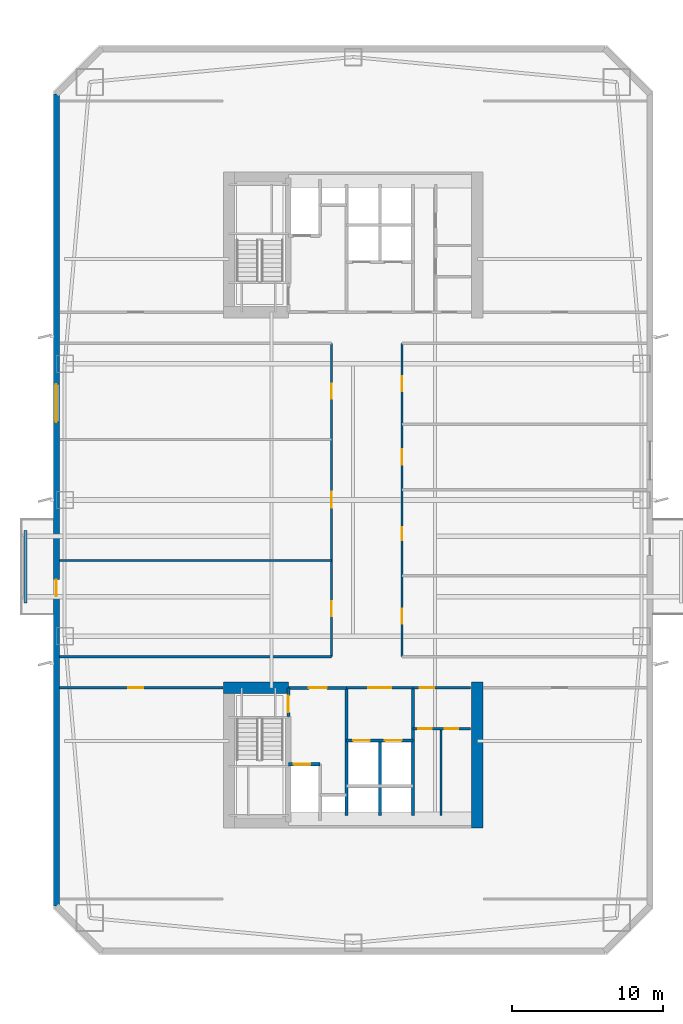
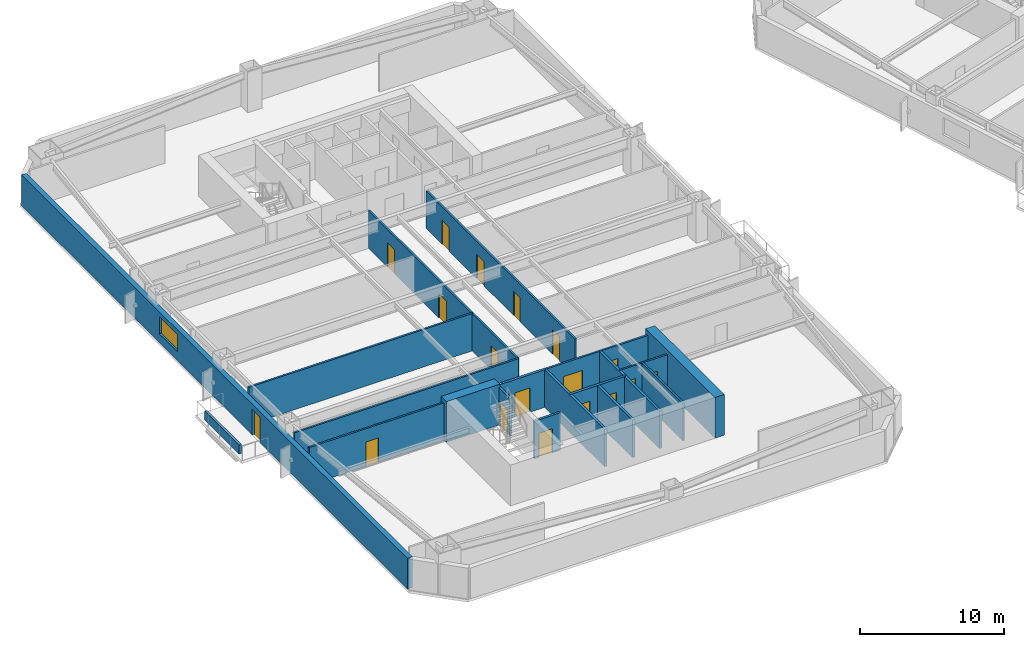
# One storey, part 4 of 18: 20 walls, 18 doors, 1 window, 19 openings.
"""IFC4 building model written with IfcOpenShell, lengths in metres."""

from ifc_helpers import new_model, si_unit, direction, frame, frame_2d, origin, place, context, subcontext, project, spatial, rectangle, extrude, material, layer, layer_set, type_object, element, fill, save


model = new_model("IFC4")

# Units and contexts
model_context = context("Model", 3, precision=1e-05, world=origin(), true_north=direction((0.0, 1.0)))
body_context = subcontext(model_context, "Body", "Model", "MODEL_VIEW")
ifc_project = project(units=[si_unit("LENGTHUNIT", "METRE"), si_unit("AREAUNIT", "SQUARE_METRE"), si_unit("VOLUMEUNIT", "CUBIC_METRE"), si_unit("PLANEANGLEUNIT", "RADIAN"), si_unit("MASSUNIT", "GRAM", prefix="KILO")], contexts=[model_context])

# Site, building, storey
site_placement = place(None, origin())
site = spatial("IfcSite", under=ifc_project, at=site_placement, CompositionType="ELEMENT")
building_placement = place(site_placement, origin())
building = spatial("IfcBuilding", under=site, at=building_placement, Name="Qiaolan Cultural Towers", CompositionType="ELEMENT")
storey_placement = place(building_placement, frame((0.0, 0.0, 67.85009765625)))
storey = spatial("IfcBuildingStorey", under=building, at=storey_placement, Name="L16", CompositionType="ELEMENT", Elevation=67.85009765625)

# Walls
ifc_material_1 = material(Name="Concrete C60", Category="concrete")
ifc_layer_1 = layer(ifc_material_1, 0.75)
ifc_layer_set_1 = layer_set([ifc_layer_1], Name="Concrete C60")
wall_type_1 = type_object("IfcWallType", Name="WL-CORE-750", PredefinedType="SHEAR", material=ifc_layer_set_1)
wall_1_placement = place(storey_placement, frame((38.199951171875, 21.97509765625, 0.0), z_axis=(0.0, 0.0, 1.0), x_axis=(0.0, -1.0, 0.0)))
element("IfcWall", 1, at=wall_1_placement, inside=storey, type_object=wall_type_1, Name="L16 T1-CS East Core Shear Wall", PredefinedType="SHEAR", context=body_context, shape_type="SweptSolid", body=[
    extrude(rectangle(XDim=9.630126953125, YDim=0.75, at=frame_2d((4.81494140625, 0.0))), origin(), (0.0, 0.0, 1.0), 3.449951171875),
])
wall_2_placement = place(storey_placement, frame((21.425048828125, 21.60009765625, 0.0), z_axis=(0.0, 0.0, 1.0), x_axis=(1.0, 0.0, 0.0)))
element("IfcWall", 2, at=wall_2_placement, inside=storey, type_object=wall_type_1, Name="L16 T1-CS Stair Front Shear Wall", PredefinedType="SHEAR", context=body_context, shape_type="SweptSolid", body=[
    extrude(rectangle(XDim=4.294921875, YDim=0.75, at=frame_2d((2.1474609375, 0.0))), origin(), (0.0, 0.0, 1.0), 3.449951171875),
])

# Wall, openings, door, window
ifc_material_2 = material(Name="Precast Concrete C50 Honed Stone Pier", Category="masonry")
ifc_layer_2 = layer(ifc_material_2, 0.39990234375)
ifc_layer_set_2 = layer_set([ifc_layer_2], Name="Precast Concrete C50 Honed Stone Pier")
wall_type_2 = type_object("IfcWallType", Name="WL-EXT-PIER-400", PredefinedType="SOLIDWALL", material=ifc_layer_set_2)
wall_3_placement = place(storey_placement, frame((10.39990234375, 7.199951171875, 0.0), z_axis=(0.0, 0.0, 1.0), x_axis=(0.0, 1.0, 0.0)))
wall_3 = element("IfcWall", 3, at=wall_3_placement, inside=storey, type_object=wall_type_2, Name="L16 West Tower Precast Pier Facade Wall F1", PredefinedType="SOLIDWALL", context=body_context, shape_type="SweptSolid", body=[
    extrude(rectangle(XDim=53.60009765625, YDim=0.39990234375, at=frame_2d((26.800048828125, 0.0))), origin(), (0.0, 0.0, 1.0), 2.60986328125),
])
opening_1_placement = place(wall_3_placement, frame((31.949951171875, 0.0, 0.75)))
opening_1 = element("IfcOpeningElement", 4, at=opening_1_placement, cuts=wall_3, Name="Opening W-01", PredefinedType="OPENING", context=body_context, shape_type="SweptSolid", body=[
    extrude(rectangle(XDim=2.5, YDim=1.4599609375, at=frame_2d((1.25, 0.72998046875))), frame((0.0, 0.2099609375, 0.0), z_axis=(0.0, -1.0, 0.0), x_axis=(1.0, 0.0, 0.0)), (0.0, 0.0, 1.0), 0.419921875),
])
opening_2_placement = place(wall_3_placement, frame((20.449951171875, 0.0, 0.0)))
opening_2 = element("IfcOpeningElement", 5, at=opening_2_placement, cuts=wall_3, Name="Opening BD-01", PredefinedType="OPENING", context=body_context, shape_type="SweptSolid", body=[
    extrude(rectangle(XDim=1.10009765625, YDim=2.14990234375, at=frame_2d((0.550048828125, 1.074951171875))), frame((0.0, 0.2099609375, 0.0), z_axis=(0.0, -1.0, 0.0), x_axis=(1.0, 0.0, 0.0)), (0.0, 0.0, 1.0), 0.419921875),
])
ifc_material_3 = material(Name="Thermally Broken Aluminium Glazed Terrace Door", Category="aluminium")
door_type_1 = type_object("IfcDoorType", Name="DR-BAL-1100", OperationType="NOTDEFINED", PredefinedType="DOOR", material=ifc_material_3)
door_1_placement = place(opening_2_placement, origin())
door_1 = element("IfcDoor", 6, at=door_1_placement, inside=storey, type_object=door_type_1, Name="L16 T1 West Tree Balcony Door", OperationType="SINGLE_SWING_LEFT", OverallHeight=2.14990234375, OverallWidth=1.10009765625, PredefinedType="DOOR", context=body_context, shape_type="SweptSolid", body=[
    extrude(rectangle(XDim=1.10009765625, YDim=2.14990234375, at=frame_2d((0.550048828125, 1.074951171875))), frame((0.0, 0.02490234375, 0.0), z_axis=(0.0, -1.0, 0.0), x_axis=(1.0, 0.0, 0.0)), (0.0, 0.0, 1.0), 0.050048828125),
])
fill(opening_2, door_1)
ifc_material_4 = material(Name="Thermally Broken Aluminium Triple Low-E Glazing", Category="aluminium")
window_type = type_object("IfcWindowType", Name="WN-CHIC-2500", PartitioningType="SINGLE_PANEL", PredefinedType="WINDOW", material=ifc_material_4)
window_placement = place(opening_1_placement, origin())
window = element("IfcWindow", 7, at=window_placement, inside=storey, type_object=window_type, Name="L16 T1 W Chicago Bay Window 1", OverallHeight=1.4599609375, OverallWidth=2.5, PartitioningType="TRIPLE_PANEL_VERTICAL", PredefinedType="WINDOW", context=body_context, shape_type="SweptSolid", body=[
    extrude(rectangle(XDim=2.5, YDim=1.4599609375, at=frame_2d((1.25, 0.72998046875))), frame((0.0, 0.030029296875, 0.0), z_axis=(0.0, -1.0, 0.0), x_axis=(1.0, 0.0, 0.0)), (0.0, 0.0, 1.0), 0.06005859375),
])
fill(opening_1, window)

# Wall, opening, door
ifc_material_5 = material(Name="Concrete C35 Fire Wall", Category="concrete")
ifc_layer_3 = layer(ifc_material_5, 0.199951171875)
ifc_layer_set_3 = layer_set([ifc_layer_3], Name="Concrete C35 Fire Wall")
wall_type_3 = type_object("IfcWallType", Name="WL-FIRE-200", PredefinedType="PARTITIONING", material=ifc_layer_set_3)
wall_4_placement = place(storey_placement, frame((25.719970703125, 21.60009765625, 0.0), z_axis=(0.0, 0.0, 1.0), x_axis=(0.0, -1.0, 0.0)))
wall_4 = element("IfcWall", 8, at=wall_4_placement, inside=storey, type_object=wall_type_3, Name="L16 T1-CS Smokeproof Stair Entry Wall", PredefinedType="PARTITIONING", context=body_context, shape_type="SweptSolid", body=[
    extrude(rectangle(XDim=1.900146484375, YDim=0.199951171875, at=frame_2d((0.9501953125, 0.0))), origin(), (0.0, 0.0, 1.0), 3.1748046875),
])
opening_3_placement = place(wall_4_placement, frame((0.52001953125, 0.0, 0.0)))
opening_3 = element("IfcOpeningElement", 9, at=opening_3_placement, cuts=wall_4, Name="Opening FD-04", PredefinedType="OPENING", context=body_context, shape_type="SweptSolid", body=[
    extrude(rectangle(XDim=1.10009765625, YDim=2.050048828125, at=frame_2d((0.550048828125, 1.02490234375))), frame((0.0, 0.10986328125, 0.0), z_axis=(0.0, -1.0, 0.0), x_axis=(1.0, 0.0, 0.0)), (0.0, 0.0, 1.0), 0.219970703125),
])
ifc_material_6 = material(Name="Galvanized Steel Command Fire Door", Category="steel")
door_type_2 = type_object("IfcDoorType", Name="DR-FD90-1100", OperationType="NOTDEFINED", PredefinedType="DOOR", material=ifc_material_6)
door_2_placement = place(opening_3_placement, origin())
door_2 = element("IfcDoor", 10, at=door_2_placement, inside=storey, type_object=door_type_2, Name="L16 ST-W1 Smokeproof Stair Fire Door", OperationType="SINGLE_SWING_LEFT", OverallHeight=2.050048828125, OverallWidth=1.10009765625, PredefinedType="DOOR", context=body_context, shape_type="SweptSolid", body=[
    extrude(rectangle(XDim=1.10009765625, YDim=2.050048828125, at=frame_2d((0.550048828125, 1.02490234375))), frame((0.0, 0.02490234375, 0.0), z_axis=(0.0, -1.0, 0.0), x_axis=(1.0, 0.0, 0.0)), (0.0, 0.0, 1.0), 0.050048828125),
])
fill(opening_3, door_2)

# Wall
wall_5_placement = place(storey_placement, frame((29.550048828125, 21.60009765625, 0.0), z_axis=(0.0, 0.0, 1.0), x_axis=(0.0, -1.0, 0.0)))
element("IfcWall", 11, at=wall_5_placement, inside=storey, type_object=wall_type_3, Name="L16 T1-CS Firefighting Zone Wall", PredefinedType="PARTITIONING", context=body_context, shape_type="SweptSolid", body=[
    extrude(rectangle(XDim=8.43017578125, YDim=0.199951171875, at=frame_2d((4.215087890625, 0.0))), origin(), (0.0, 0.0, 1.0), 3.1748046875),
])

# Wall, opening, door
wall_6_placement = place(storey_placement, frame((25.719970703125, 21.60009765625, 0.0), z_axis=(0.0, 0.0, 1.0), x_axis=(1.0, 0.0, 0.0)))
wall_6 = element("IfcWall", 12, at=wall_6_placement, inside=storey, type_object=wall_type_3, Name="L16 T1-CS Firefighting Lobby Front Wall", PredefinedType="PARTITIONING", context=body_context, shape_type="SweptSolid", body=[
    extrude(rectangle(XDim=3.830078125, YDim=0.199951171875, at=frame_2d((1.9150390625, 0.0))), origin(), (0.0, 0.0, 1.0), 3.1748046875),
])
opening_4_placement = place(wall_6_placement, frame((1.35009765625, 0.0, 0.0)))
opening_4 = element("IfcOpeningElement", 13, at=opening_4_placement, cuts=wall_6, Name="Opening FD-03", PredefinedType="OPENING", context=body_context, shape_type="SweptSolid", body=[
    extrude(rectangle(XDim=1.199951171875, YDim=2.050048828125, at=frame_2d((0.60009765625, 1.02490234375))), frame((0.0, 0.10986328125, 0.0), z_axis=(0.0, -1.0, 0.0), x_axis=(1.0, 0.0, 0.0)), (0.0, 0.0, 1.0), 0.219970703125),
])
ifc_material_7 = material(Name="Galvanized Steel Smokeproof Lobby Fire Door", Category="steel")
door_type_3 = type_object("IfcDoorType", Name="DR-FD90-1200", OperationType="NOTDEFINED", PredefinedType="DOOR", material=ifc_material_7)
door_3_placement = place(opening_4_placement, origin())
door_3 = element("IfcDoor", 14, at=door_3_placement, inside=storey, type_object=door_type_3, Name="L16 FFL-W1 Firefighting Lobby Fire Door", OperationType="SINGLE_SWING_LEFT", OverallHeight=2.050048828125, OverallWidth=1.199951171875, PredefinedType="DOOR", context=body_context, shape_type="SweptSolid", body=[
    extrude(rectangle(XDim=1.199951171875, YDim=2.050048828125, at=frame_2d((0.60009765625, 1.02490234375))), frame((0.0, 0.02490234375, 0.0), z_axis=(0.0, -1.0, 0.0), x_axis=(1.0, 0.0, 0.0)), (0.0, 0.0, 1.0), 0.050048828125),
])
fill(opening_4, door_3)

wall_7_placement = place(storey_placement, frame((25.719970703125, 16.550048828125, 0.0), z_axis=(0.0, 0.0, 1.0), x_axis=(1.0, 0.0, 0.0)))
wall_7 = element("IfcWall", 15, at=wall_7_placement, inside=storey, type_object=wall_type_3, Name="L16 T1-CS Firefighting Shaft Front Wall", PredefinedType="PARTITIONING", context=body_context, shape_type="SweptSolid", body=[
    extrude(rectangle(XDim=2.10009765625, YDim=0.199951171875, at=frame_2d((1.050048828125, 0.0))), origin(), (0.0, 0.0, 1.0), 3.1748046875),
])
opening_5_placement = place(wall_7_placement, frame((0.35009765625, 0.0, 0.0)))
opening_5 = element("IfcOpeningElement", 16, at=opening_5_placement, cuts=wall_7, Name="Opening LD-01", PredefinedType="OPENING", context=body_context, shape_type="SweptSolid", body=[
    extrude(rectangle(XDim=1.10009765625, YDim=2.050048828125, at=frame_2d((0.550048828125, 1.02490234375))), frame((0.0, 0.10986328125, 0.0), z_axis=(0.0, -1.0, 0.0), x_axis=(1.0, 0.0, 0.0)), (0.0, 0.0, 1.0), 0.219970703125),
])
ifc_material_8 = material(Name="Brushed Stainless Steel S30408 Centre-Parting Lift Landing Door", Category="steel")
door_type_4 = type_object("IfcDoorType", Name="DR-LIFT-1100", OperationType="NOTDEFINED", PredefinedType="DOOR", material=ifc_material_8)
door_4_placement = place(opening_5_placement, origin())
door_4 = element("IfcDoor", 17, at=door_4_placement, inside=storey, type_object=door_type_4, Name="L16 FFL-W1 Firefighting Lift Landing Door", OperationType="DOUBLE_DOOR_SLIDING", OverallHeight=2.050048828125, OverallWidth=1.10009765625, PredefinedType="DOOR", context=body_context, shape_type="SweptSolid", body=[
    extrude(rectangle(XDim=1.10009765625, YDim=2.050048828125, at=frame_2d((0.550048828125, 1.02490234375))), frame((0.0, 0.02490234375, 0.0), z_axis=(0.0, -1.0, 0.0), x_axis=(1.0, 0.0, 0.0)), (0.0, 0.0, 1.0), 0.050048828125),
])
fill(opening_5, door_4)

# Wall
wall_8_placement = place(storey_placement, frame((33.949951171875, 21.60009765625, 0.0), z_axis=(0.0, 0.0, 1.0), x_axis=(0.0, -1.0, 0.0)))
element("IfcWall", 18, at=wall_8_placement, inside=storey, type_object=wall_type_3, Name="L16 T1-CS Lift Core East Wall", PredefinedType="PARTITIONING", context=body_context, shape_type="SweptSolid", body=[
    extrude(rectangle(XDim=8.43017578125, YDim=0.199951171875, at=frame_2d((4.215087890625, 0.0))), origin(), (0.0, 0.0, 1.0), 3.1748046875),
])

# Wall, openings, doors
wall_9_placement = place(storey_placement, frame((29.550048828125, 18.1201171875, 0.0), z_axis=(0.0, 0.0, 1.0), x_axis=(1.0, 0.0, 0.0)))
wall_9 = element("IfcWall", 19, at=wall_9_placement, inside=storey, type_object=wall_type_3, Name="L16 T1-CS Passenger Lift Shaft Front Wall", PredefinedType="PARTITIONING", context=body_context, shape_type="SweptSolid", body=[
    extrude(rectangle(XDim=4.39990234375, YDim=0.199951171875, at=frame_2d((2.199951171875, 0.0))), origin(), (0.0, 0.0, 1.0), 3.1748046875),
])
opening_6_placement = place(wall_9_placement, frame((0.449951171875, 0.0, 0.0)))
opening_6 = element("IfcOpeningElement", 20, at=opening_6_placement, cuts=wall_9, Name="Opening LD-01", PredefinedType="OPENING", context=body_context, shape_type="SweptSolid", body=[
    extrude(rectangle(XDim=1.10009765625, YDim=2.050048828125, at=frame_2d((0.550048828125, 1.02490234375))), frame((0.0, 0.10986328125, 0.0), z_axis=(0.0, -1.0, 0.0), x_axis=(1.0, 0.0, 0.0)), (0.0, 0.0, 1.0), 0.219970703125),
])
opening_7_placement = place(wall_9_placement, frame((2.550048828125, 0.0, 0.0)))
opening_7 = element("IfcOpeningElement", 21, at=opening_7_placement, cuts=wall_9, Name="Opening LD-01", PredefinedType="OPENING", context=body_context, shape_type="SweptSolid", body=[
    extrude(rectangle(XDim=1.10009765625, YDim=2.050048828125, at=frame_2d((0.550048828125, 1.02490234375))), frame((0.0, 0.10986328125, 0.0), z_axis=(0.0, -1.0, 0.0), x_axis=(1.0, 0.0, 0.0)), (0.0, 0.0, 1.0), 0.219970703125),
])
door_5_placement = place(opening_6_placement, origin())
door_5 = element("IfcDoor", 22, at=door_5_placement, inside=storey, type_object=door_type_4, Name="L16 Passenger Lift 1 Landing Door", OperationType="DOUBLE_DOOR_SLIDING", OverallHeight=2.050048828125, OverallWidth=1.10009765625, PredefinedType="DOOR", context=body_context, shape_type="SweptSolid", body=[
    extrude(rectangle(XDim=1.10009765625, YDim=2.050048828125, at=frame_2d((0.550048828125, 1.02490234375))), frame((0.0, 0.02490234375, 0.0), z_axis=(0.0, -1.0, 0.0), x_axis=(1.0, 0.0, 0.0)), (0.0, 0.0, 1.0), 0.050048828125),
])
fill(opening_6, door_5)
door_6_placement = place(opening_7_placement, origin())
door_6 = element("IfcDoor", 23, at=door_6_placement, inside=storey, type_object=door_type_4, Name="L16 Passenger Lift 2 Landing Door", OperationType="DOUBLE_DOOR_SLIDING", OverallHeight=2.050048828125, OverallWidth=1.10009765625, PredefinedType="DOOR", context=body_context, shape_type="SweptSolid", body=[
    extrude(rectangle(XDim=1.10009765625, YDim=2.050048828125, at=frame_2d((0.550048828125, 1.02490234375))), frame((0.0, 0.02490234375, 0.0), z_axis=(0.0, -1.0, 0.0), x_axis=(1.0, 0.0, 0.0)), (0.0, 0.0, 1.0), 0.050048828125),
])
fill(opening_7, door_6)

# Wall
wall_10_placement = place(storey_placement, frame((31.780029296875, 18.1201171875, 0.0), z_axis=(0.0, 0.0, 1.0), x_axis=(0.0, -1.0, 0.0)))
element("IfcWall", 24, at=wall_10_placement, inside=storey, type_object=wall_type_3, Name="L16 T1-CS Lift Shaft Divider Wall", PredefinedType="PARTITIONING", context=body_context, shape_type="SweptSolid", body=[
    extrude(rectangle(XDim=4.9501953125, YDim=0.199951171875, at=frame_2d((2.47509765625, 0.0))), origin(), (0.0, 0.0, 1.0), 3.1748046875),
])

# Wall, opening, door
ifc_material_9 = material(Name="Autoclaved Aerated Concrete Block B06", Category="concrete")
ifc_layer_4 = layer(ifc_material_9, 0.14990234375)
ifc_layer_set_4 = layer_set([ifc_layer_4], Name="Autoclaved Aerated Concrete Block B06")
wall_type_4 = type_object("IfcWallType", Name="WL-PART-150", PredefinedType="PARTITIONING", material=ifc_layer_set_4)
wall_11_placement = place(storey_placement, frame((29.550048828125, 21.60009765625, 0.0), z_axis=(0.0, 0.0, 1.0), x_axis=(1.0, 0.0, 0.0)))
wall_11 = element("IfcWall", 25, at=wall_11_placement, inside=storey, type_object=wall_type_4, Name="L16 T1-CS Passenger Lift Lobby Front Wall", PredefinedType="PARTITIONING", context=body_context, shape_type="SweptSolid", body=[
    extrude(rectangle(XDim=4.39990234375, YDim=0.14990234375, at=frame_2d((2.199951171875, 0.0))), origin(), (0.0, 0.0, 1.0), 3.1748046875),
])
opening_8_placement = place(wall_11_placement, frame((1.449951171875, 0.0, 0.0)))
opening_8 = element("IfcOpeningElement", 26, at=opening_8_placement, cuts=wall_11, Name="Opening FD-05", PredefinedType="OPENING", context=body_context, shape_type="SweptSolid", body=[
    extrude(rectangle(XDim=1.5, YDim=2.050048828125, at=frame_2d((0.75, 1.02490234375))), frame((0.0, 0.0849609375, 0.0), z_axis=(0.0, -1.0, 0.0), x_axis=(1.0, 0.0, 0.0)), (0.0, 0.0, 1.0), 0.169921875),
])
ifc_material_10 = material(Name="Painted Steel Lift Lobby Fire Door", Category="steel")
door_type_5 = type_object("IfcDoorType", Name="DR-FD60-1500", OperationType="NOTDEFINED", PredefinedType="DOOR", material=ifc_material_10)
door_7_placement = place(opening_8_placement, origin())
door_7 = element("IfcDoor", 27, at=door_7_placement, inside=storey, type_object=door_type_5, Name="L16 Passenger Lift Lobby Entrance", OperationType="SINGLE_SWING_LEFT", OverallHeight=2.050048828125, OverallWidth=1.5, PredefinedType="DOOR", context=body_context, shape_type="SweptSolid", body=[
    extrude(rectangle(XDim=1.5, YDim=2.050048828125, at=frame_2d((0.75, 1.02490234375))), frame((0.0, 0.02490234375, 0.0), z_axis=(0.0, -1.0, 0.0), x_axis=(1.0, 0.0, 0.0)), (0.0, 0.0, 1.0), 0.050048828125),
])
fill(opening_8, door_7)

wall_12_placement = place(storey_placement, frame((33.949951171875, 21.60009765625, 0.0), z_axis=(0.0, 0.0, 1.0), x_axis=(1.0, 0.0, 0.0)))
wall_12 = element("IfcWall", 28, at=wall_12_placement, inside=storey, type_object=wall_type_4, Name="L16 T1-CS Sanitary Core Front Wall", PredefinedType="PARTITIONING", context=body_context, shape_type="SweptSolid", body=[
    extrude(rectangle(XDim=3.800048828125, YDim=0.14990234375, at=frame_2d((1.89990234375, 0.0))), origin(), (0.0, 0.0, 1.0), 3.1748046875),
])
opening_9_placement = place(wall_12_placement, frame((0.449951171875, 0.0, 0.0)))
opening_9 = element("IfcOpeningElement", 29, at=opening_9_placement, cuts=wall_12, Name="Opening ID-05", PredefinedType="OPENING", context=body_context, shape_type="SweptSolid", body=[
    extrude(rectangle(XDim=0.949951171875, YDim=2.050048828125, at=frame_2d((0.47509765625, 1.02490234375))), frame((0.0, 0.0849609375, 0.0), z_axis=(0.0, -1.0, 0.0), x_axis=(1.0, 0.0, 0.0)), (0.0, 0.0, 1.0), 0.169921875),
])
ifc_material_11 = material(Name="Fire-Rated Laminate Accessible Core Door", Category="timber")
door_type_6 = type_object("IfcDoorType", Name="DR-INT-950", OperationType="NOTDEFINED", PredefinedType="DOOR", material=ifc_material_11)
door_8_placement = place(opening_9_placement, origin())
door_8 = element("IfcDoor", 30, at=door_8_placement, inside=storey, type_object=door_type_6, Name="L16 Sanitary Vestibule Door", OperationType="SINGLE_SWING_LEFT", OverallHeight=2.050048828125, OverallWidth=0.949951171875, PredefinedType="DOOR", context=body_context, shape_type="SweptSolid", body=[
    extrude(rectangle(XDim=0.949951171875, YDim=2.050048828125, at=frame_2d((0.47509765625, 1.02490234375))), frame((0.0, 0.02490234375, 0.0), z_axis=(0.0, -1.0, 0.0), x_axis=(1.0, 0.0, 0.0)), (0.0, 0.0, 1.0), 0.050048828125),
])
fill(opening_9, door_8)

# Wall, openings, doors
wall_13_placement = place(storey_placement, frame((33.949951171875, 18.89990234375, 0.0), z_axis=(0.0, 0.0, 1.0), x_axis=(1.0, 0.0, 0.0)))
wall_13 = element("IfcWall", 31, at=wall_13_placement, inside=storey, type_object=wall_type_4, Name="L16 T1-CS Restroom Vestibule Wall", PredefinedType="PARTITIONING", context=body_context, shape_type="SweptSolid", body=[
    extrude(rectangle(XDim=3.800048828125, YDim=0.14990234375, at=frame_2d((1.89990234375, 0.0))), origin(), (0.0, 0.0, 1.0), 3.1748046875),
])
opening_10_placement = place(wall_13_placement, frame((0.35009765625, 0.0, 0.0)))
opening_10 = element("IfcOpeningElement", 32, at=opening_10_placement, cuts=wall_13, Name="Opening ID-06", PredefinedType="OPENING", context=body_context, shape_type="SweptSolid", body=[
    extrude(rectangle(XDim=0.89990234375, YDim=2.050048828125, at=frame_2d((0.449951171875, 1.02490234375))), frame((0.0, 0.0849609375, 0.0), z_axis=(0.0, -1.0, 0.0), x_axis=(1.0, 0.0, 0.0)), (0.0, 0.0, 1.0), 0.169921875),
])
opening_11_placement = place(wall_13_placement, frame((2.10009765625, 0.0, 0.0)))
opening_11 = element("IfcOpeningElement", 33, at=opening_11_placement, cuts=wall_13, Name="Opening ID-06", PredefinedType="OPENING", context=body_context, shape_type="SweptSolid", body=[
    extrude(rectangle(XDim=0.89990234375, YDim=2.050048828125, at=frame_2d((0.449951171875, 1.02490234375))), frame((0.0, 0.0849609375, 0.0), z_axis=(0.0, -1.0, 0.0), x_axis=(1.0, 0.0, 0.0)), (0.0, 0.0, 1.0), 0.169921875),
])
ifc_material_12 = material(Name="Fire-Rated Laminate Core Service Door", Category="timber")
door_type_7 = type_object("IfcDoorType", Name="DR-INT-900", OperationType="NOTDEFINED", PredefinedType="DOOR", material=ifc_material_12)
door_9_placement = place(opening_10_placement, origin())
door_9 = element("IfcDoor", 34, at=door_9_placement, inside=storey, type_object=door_type_7, Name="L16 Men Restroom Door", OperationType="SINGLE_SWING_LEFT", OverallHeight=2.050048828125, OverallWidth=0.89990234375, PredefinedType="DOOR", context=body_context, shape_type="SweptSolid", body=[
    extrude(rectangle(XDim=0.89990234375, YDim=2.050048828125, at=frame_2d((0.449951171875, 1.02490234375))), frame((0.0, 0.02490234375, 0.0), z_axis=(0.0, -1.0, 0.0), x_axis=(1.0, 0.0, 0.0)), (0.0, 0.0, 1.0), 0.050048828125),
])
fill(opening_10, door_9)
door_10_placement = place(opening_11_placement, origin())
door_10 = element("IfcDoor", 35, at=door_10_placement, inside=storey, type_object=door_type_7, Name="L16 Accessible & Women Restroom Door", OperationType="SINGLE_SWING_RIGHT", OverallHeight=2.050048828125, OverallWidth=0.89990234375, PredefinedType="DOOR", context=body_context, shape_type="SweptSolid", body=[
    extrude(rectangle(XDim=0.89990234375, YDim=2.050048828125, at=frame_2d((0.449951171875, 1.02490234375))), frame((0.0, 0.02490234375, 0.0), z_axis=(0.0, -1.0, 0.0), x_axis=(1.0, 0.0, 0.0)), (0.0, 0.0, 1.0), 0.050048828125),
])
fill(opening_11, door_10)

# Wall
wall_14_placement = place(storey_placement, frame((35.800048828125, 18.89990234375, 0.0), z_axis=(0.0, 0.0, 1.0), x_axis=(0.0, -1.0, 0.0)))
element("IfcWall", 36, at=wall_14_placement, inside=storey, type_object=wall_type_4, Name="L16 T1-CS Restroom Divider Wall", PredefinedType="PARTITIONING", context=body_context, shape_type="SweptSolid", body=[
    extrude(rectangle(XDim=5.72998046875, YDim=0.14990234375, at=frame_2d((2.864990234375, 0.0))), origin(), (0.0, 0.0, 1.0), 3.1748046875),
])

# Wall, opening, door
wall_15_placement = place(storey_placement, frame((10.60009765625, 21.60009765625, 0.0), z_axis=(0.0, 0.0, 1.0), x_axis=(1.0, 0.0, 0.0)))
wall_15 = element("IfcWall", 37, at=wall_15_placement, inside=storey, type_object=wall_type_4, Name="L16 T1 Flank Front FLK-SW", PredefinedType="PARTITIONING", context=body_context, shape_type="SweptSolid", body=[
    extrude(rectangle(XDim=10.7998046875, YDim=0.14990234375, at=frame_2d((5.39990234375, 0.0))), origin(), (0.0, 0.0, 1.0), 3.1748046875),
])
opening_12_placement = place(wall_15_placement, frame((4.535888671875, 0.0, 0.0)))
opening_12 = element("IfcOpeningElement", 38, at=opening_12_placement, cuts=wall_15, Name="Opening ID-04", PredefinedType="OPENING", context=body_context, shape_type="SweptSolid", body=[
    extrude(rectangle(XDim=1.0, YDim=2.050048828125, at=frame_2d((0.5, 1.02490234375))), frame((0.0, 0.0849609375, 0.0), z_axis=(0.0, -1.0, 0.0), x_axis=(1.0, 0.0, 0.0)), (0.0, 0.0, 1.0), 0.169921875),
])
ifc_material_13 = material(Name="Oak Veneer Acoustic Office Door", Category="timber")
door_type_8 = type_object("IfcDoorType", Name="DR-INT-1000", OperationType="NOTDEFINED", PredefinedType="DOOR", material=ifc_material_13)
door_11_placement = place(opening_12_placement, origin())
door_11 = element("IfcDoor", 39, at=door_11_placement, inside=storey, type_object=door_type_8, Name="L16 T1 Corner Studio Door", OperationType="SINGLE_SWING_LEFT", OverallHeight=2.050048828125, OverallWidth=1.0, PredefinedType="DOOR", context=body_context, shape_type="SweptSolid", body=[
    extrude(rectangle(XDim=1.0, YDim=2.050048828125, at=frame_2d((0.5, 1.02490234375))), frame((0.0, 0.02490234375, 0.0), z_axis=(0.0, -1.0, 0.0), x_axis=(1.0, 0.0, 0.0)), (0.0, 0.0, 1.0), 0.050048828125),
])
fill(opening_12, door_11)

# Wall
wall_16_placement = place(storey_placement, frame((10.60009765625, 23.64990234375, 0.0), z_axis=(0.0, 0.0, 1.0), x_axis=(1.0, 0.0, 0.0)))
element("IfcWall", 40, at=wall_16_placement, inside=storey, type_object=wall_type_4, Name="L16 T1 South Corridor Left Wall", PredefinedType="PARTITIONING", context=body_context, shape_type="SweptSolid", body=[
    extrude(rectangle(XDim=17.974853515625, YDim=0.14990234375, at=frame_2d((8.9873046875, 0.0))), origin(), (0.0, 0.0, 1.0), 3.1748046875),
])

# Wall, openings, doors
wall_17_placement = place(storey_placement, frame((28.574951171875, 23.64990234375, 0.0), z_axis=(0.0, 0.0, 1.0), x_axis=(0.0, 1.0, 0.0)))
wall_17 = element("IfcWall", 41, at=wall_17_placement, inside=storey, type_object=wall_type_4, Name="L16 T1 West Spine Wall", PredefinedType="PARTITIONING", context=body_context, shape_type="SweptSolid", body=[
    extrude(rectangle(XDim=20.7001953125, YDim=0.14990234375, at=frame_2d((10.35009765625, 0.0))), origin(), (0.0, 0.0, 1.0), 3.1748046875),
])
opening_13_placement = place(wall_17_placement, frame((2.675048828125, 0.0, 0.0)))
opening_13 = element("IfcOpeningElement", 42, at=opening_13_placement, cuts=wall_17, Name="Opening ID-04", PredefinedType="OPENING", context=body_context, shape_type="SweptSolid", body=[
    extrude(rectangle(XDim=1.0, YDim=2.050048828125, at=frame_2d((0.5, 1.02490234375))), frame((0.0, 0.0849609375, 0.0), z_axis=(0.0, -1.0, 0.0), x_axis=(1.0, 0.0, 0.0)), (0.0, 0.0, 1.0), 0.169921875),
])
opening_14_placement = place(wall_17_placement, frame((9.85009765625, 0.0, 0.0)))
opening_14 = element("IfcOpeningElement", 43, at=opening_14_placement, cuts=wall_17, Name="Opening ID-07", PredefinedType="OPENING", context=body_context, shape_type="SweptSolid", body=[
    extrude(rectangle(XDim=1.050048828125, YDim=2.050048828125, at=frame_2d((0.52490234375, 1.02490234375))), frame((0.0, 0.0849609375, 0.0), z_axis=(0.0, -1.0, 0.0), x_axis=(1.0, 0.0, 0.0)), (0.0, 0.0, 1.0), 0.169921875),
])
opening_15_placement = place(wall_17_placement, frame((17.02490234375, 0.0, 0.0)))
opening_15 = element("IfcOpeningElement", 44, at=opening_15_placement, cuts=wall_17, Name="Opening ID-04", PredefinedType="OPENING", context=body_context, shape_type="SweptSolid", body=[
    extrude(rectangle(XDim=1.0, YDim=2.050048828125, at=frame_2d((0.5, 1.02490234375))), frame((0.0, 0.0849609375, 0.0), z_axis=(0.0, -1.0, 0.0), x_axis=(1.0, 0.0, 0.0)), (0.0, 0.0, 1.0), 0.169921875),
])
door_12_placement = place(opening_13_placement, origin())
door_12 = element("IfcDoor", 45, at=door_12_placement, inside=storey, type_object=door_type_8, Name="L16 T1 Staff Dining Kitchen Door", OperationType="SINGLE_SWING_LEFT", OverallHeight=2.050048828125, OverallWidth=1.0, PredefinedType="DOOR", context=body_context, shape_type="SweptSolid", body=[
    extrude(rectangle(XDim=1.0, YDim=2.050048828125, at=frame_2d((0.5, 1.02490234375))), frame((0.0, 0.02490234375, 0.0), z_axis=(0.0, -1.0, 0.0), x_axis=(1.0, 0.0, 0.0)), (0.0, 0.0, 1.0), 0.050048828125),
])
fill(opening_13, door_12)
door_13_placement = place(opening_15_placement, origin())
door_13 = element("IfcDoor", 46, at=door_13_placement, inside=storey, type_object=door_type_8, Name="L16 T1 Staff Dining Kitchen Door", OperationType="SINGLE_SWING_LEFT", OverallHeight=2.050048828125, OverallWidth=1.0, PredefinedType="DOOR", context=body_context, shape_type="SweptSolid", body=[
    extrude(rectangle(XDim=1.0, YDim=2.050048828125, at=frame_2d((0.5, 1.02490234375))), frame((0.0, 0.02490234375, 0.0), z_axis=(0.0, -1.0, 0.0), x_axis=(1.0, 0.0, 0.0)), (0.0, 0.0, 1.0), 0.050048828125),
])
fill(opening_15, door_13)
ifc_material_14 = material(Name="Oak Veneer Consultation Door", Category="timber")
door_type_9 = type_object("IfcDoorType", Name="DR-INT-1050", OperationType="NOTDEFINED", PredefinedType="DOOR", material=ifc_material_14)
door_14_placement = place(opening_14_placement, origin())
door_14 = element("IfcDoor", 47, at=door_14_placement, inside=storey, type_object=door_type_9, Name="L16 T1 Staff Dining Kitchen Door", OperationType="SINGLE_SWING_RIGHT", OverallHeight=2.050048828125, OverallWidth=1.050048828125, PredefinedType="DOOR", context=body_context, shape_type="SweptSolid", body=[
    extrude(rectangle(XDim=1.050048828125, YDim=2.050048828125, at=frame_2d((0.52490234375, 1.02490234375))), frame((0.0, 0.02490234375, 0.0), z_axis=(0.0, -1.0, 0.0), x_axis=(1.0, 0.0, 0.0)), (0.0, 0.0, 1.0), 0.050048828125),
])
fill(opening_14, door_14)

wall_18_placement = place(storey_placement, frame((33.22509765625, 23.64990234375, 0.0), z_axis=(0.0, 0.0, 1.0), x_axis=(0.0, 1.0, 0.0)))
wall_18 = element("IfcWall", 48, at=wall_18_placement, inside=storey, type_object=wall_type_4, Name="L16 T1 East Spine Wall", PredefinedType="PARTITIONING", context=body_context, shape_type="SweptSolid", body=[
    extrude(rectangle(XDim=20.7001953125, YDim=0.14990234375, at=frame_2d((10.35009765625, 0.0))), origin(), (0.0, 0.0, 1.0), 3.1748046875),
])
opening_16_placement = place(wall_18_placement, frame((2.175048828125, 0.0, 0.0)))
opening_16 = element("IfcOpeningElement", 49, at=opening_16_placement, cuts=wall_18, Name="Opening ID-04", PredefinedType="OPENING", context=body_context, shape_type="SweptSolid", body=[
    extrude(rectangle(XDim=1.0, YDim=2.050048828125, at=frame_2d((0.5, 1.02490234375))), frame((0.0, 0.0849609375, 0.0), z_axis=(0.0, -1.0, 0.0), x_axis=(1.0, 0.0, 0.0)), (0.0, 0.0, 1.0), 0.169921875),
])
opening_17_placement = place(wall_18_placement, frame((7.68994140625, 0.0, 0.0)))
opening_17 = element("IfcOpeningElement", 50, at=opening_17_placement, cuts=wall_18, Name="Opening ID-09", PredefinedType="OPENING", context=body_context, shape_type="SweptSolid", body=[
    extrude(rectangle(XDim=0.85009765625, YDim=2.050048828125, at=frame_2d((0.425048828125, 1.02490234375))), frame((0.0, 0.0849609375, 0.0), z_axis=(0.0, -1.0, 0.0), x_axis=(1.0, 0.0, 0.0)), (0.0, 0.0, 1.0), 0.169921875),
])
opening_18_placement = place(wall_18_placement, frame((12.68994140625, 0.0, 0.0)))
opening_18 = element("IfcOpeningElement", 51, at=opening_18_placement, cuts=wall_18, Name="Opening ID-04", PredefinedType="OPENING", context=body_context, shape_type="SweptSolid", body=[
    extrude(rectangle(XDim=1.0, YDim=2.050048828125, at=frame_2d((0.5, 1.02490234375))), frame((0.0, 0.0849609375, 0.0), z_axis=(0.0, -1.0, 0.0), x_axis=(1.0, 0.0, 0.0)), (0.0, 0.0, 1.0), 0.169921875),
])
opening_19_placement = place(wall_18_placement, frame((17.52490234375, 0.0, 0.0)))
opening_19 = element("IfcOpeningElement", 52, at=opening_19_placement, cuts=wall_18, Name="Opening ID-04", PredefinedType="OPENING", context=body_context, shape_type="SweptSolid", body=[
    extrude(rectangle(XDim=1.0, YDim=2.050048828125, at=frame_2d((0.5, 1.02490234375))), frame((0.0, 0.0849609375, 0.0), z_axis=(0.0, -1.0, 0.0), x_axis=(1.0, 0.0, 0.0)), (0.0, 0.0, 1.0), 0.169921875),
])
door_15_placement = place(opening_16_placement, origin())
door_15 = element("IfcDoor", 53, at=door_15_placement, inside=storey, type_object=door_type_8, Name="L16 T1 Seminar Room Door", OperationType="SINGLE_SWING_RIGHT", OverallHeight=2.050048828125, OverallWidth=1.0, PredefinedType="DOOR", context=body_context, shape_type="SweptSolid", body=[
    extrude(rectangle(XDim=1.0, YDim=2.050048828125, at=frame_2d((0.5, 1.02490234375))), frame((0.0, 0.02490234375, 0.0), z_axis=(0.0, -1.0, 0.0), x_axis=(1.0, 0.0, 0.0)), (0.0, 0.0, 1.0), 0.050048828125),
])
fill(opening_16, door_15)
door_16_placement = place(opening_18_placement, origin())
door_16 = element("IfcDoor", 54, at=door_16_placement, inside=storey, type_object=door_type_8, Name="L16 T1 First-Aid Wellness Room Door", OperationType="SINGLE_SWING_RIGHT", OverallHeight=2.050048828125, OverallWidth=1.0, PredefinedType="DOOR", context=body_context, shape_type="SweptSolid", body=[
    extrude(rectangle(XDim=1.0, YDim=2.050048828125, at=frame_2d((0.5, 1.02490234375))), frame((0.0, 0.02490234375, 0.0), z_axis=(0.0, -1.0, 0.0), x_axis=(1.0, 0.0, 0.0)), (0.0, 0.0, 1.0), 0.050048828125),
])
fill(opening_18, door_16)
door_17_placement = place(opening_19_placement, origin())
door_17 = element("IfcDoor", 55, at=door_17_placement, inside=storey, type_object=door_type_8, Name="L16 T1 Design Print Shop Door", OperationType="SINGLE_SWING_LEFT", OverallHeight=2.050048828125, OverallWidth=1.0, PredefinedType="DOOR", context=body_context, shape_type="SweptSolid", body=[
    extrude(rectangle(XDim=1.0, YDim=2.050048828125, at=frame_2d((0.5, 1.02490234375))), frame((0.0, 0.02490234375, 0.0), z_axis=(0.0, -1.0, 0.0), x_axis=(1.0, 0.0, 0.0)), (0.0, 0.0, 1.0), 0.050048828125),
])
fill(opening_19, door_17)
ifc_material_15 = material(Name="Moisture-Resistant Laminate Utility Door", Category="timber")
door_type_10 = type_object("IfcDoorType", Name="DR-INT-850", OperationType="NOTDEFINED", PredefinedType="DOOR", material=ifc_material_15)
door_18_placement = place(opening_17_placement, origin())
door_18 = element("IfcDoor", 56, at=door_18_placement, inside=storey, type_object=door_type_10, Name="L16 T1 Seminar Room Door", OperationType="SINGLE_SWING_LEFT", OverallHeight=2.050048828125, OverallWidth=0.85009765625, PredefinedType="DOOR", context=body_context, shape_type="SweptSolid", body=[
    extrude(rectangle(XDim=0.85009765625, YDim=2.050048828125, at=frame_2d((0.425048828125, 1.02490234375))), frame((0.0, 0.02490234375, 0.0), z_axis=(0.0, -1.0, 0.0), x_axis=(1.0, 0.0, 0.0)), (0.0, 0.0, 1.0), 0.050048828125),
])
fill(opening_17, door_18)

# Walls
wall_19_placement = place(storey_placement, frame((10.60009765625, 30.0, 0.0), z_axis=(0.0, 0.0, 1.0), x_axis=(1.0, 0.0, 0.0)))
element("IfcWall", 57, at=wall_19_placement, inside=storey, type_object=wall_type_4, Name="L16 T1 West Partition 1", PredefinedType="PARTITIONING", context=body_context, shape_type="SweptSolid", body=[
    extrude(rectangle(XDim=17.974853515625, YDim=0.14990234375, at=frame_2d((8.9873046875, 0.0))), origin(), (0.0, 0.0, 1.0), 3.1748046875),
])
ifc_material_16 = material(Name="Precast Concrete C45 Tree Planter Upstand", Category="concrete")
ifc_layer_5 = layer(ifc_material_16, 0.199951171875)
ifc_layer_set_5 = layer_set([ifc_layer_5], Name="Precast Concrete C45 Tree Planter Upstand")
wall_type_5 = type_object("IfcWallType", Name="WL-PLANTER-200", PredefinedType="PARAPET", material=ifc_layer_set_5)
wall_20_placement = place(storey_placement, frame((8.35009765625, 27.199951171875, 0.0), z_axis=(0.0, 0.0, 1.0), x_axis=(0.0, 1.0, 0.0)))
element("IfcWall", 58, at=wall_20_placement, inside=storey, type_object=wall_type_5, Name="L16 T1 Tree Balcony Soil Planter Box W", PredefinedType="PARAPET", context=body_context, shape_type="SweptSolid", body=[
    extrude(rectangle(XDim=4.800048828125, YDim=0.199951171875, at=frame_2d((2.39990234375, 0.0))), origin(), (0.0, 0.0, 1.0), 0.75),
])

save(model, "model.ifc")
